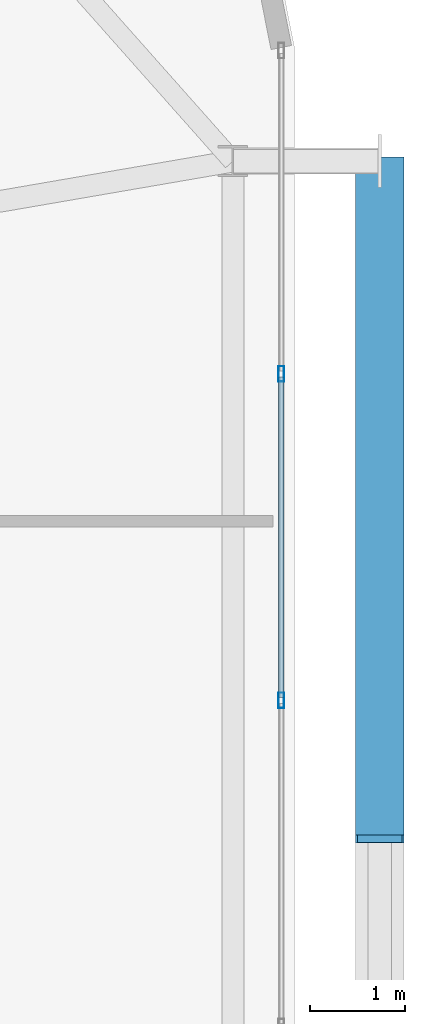
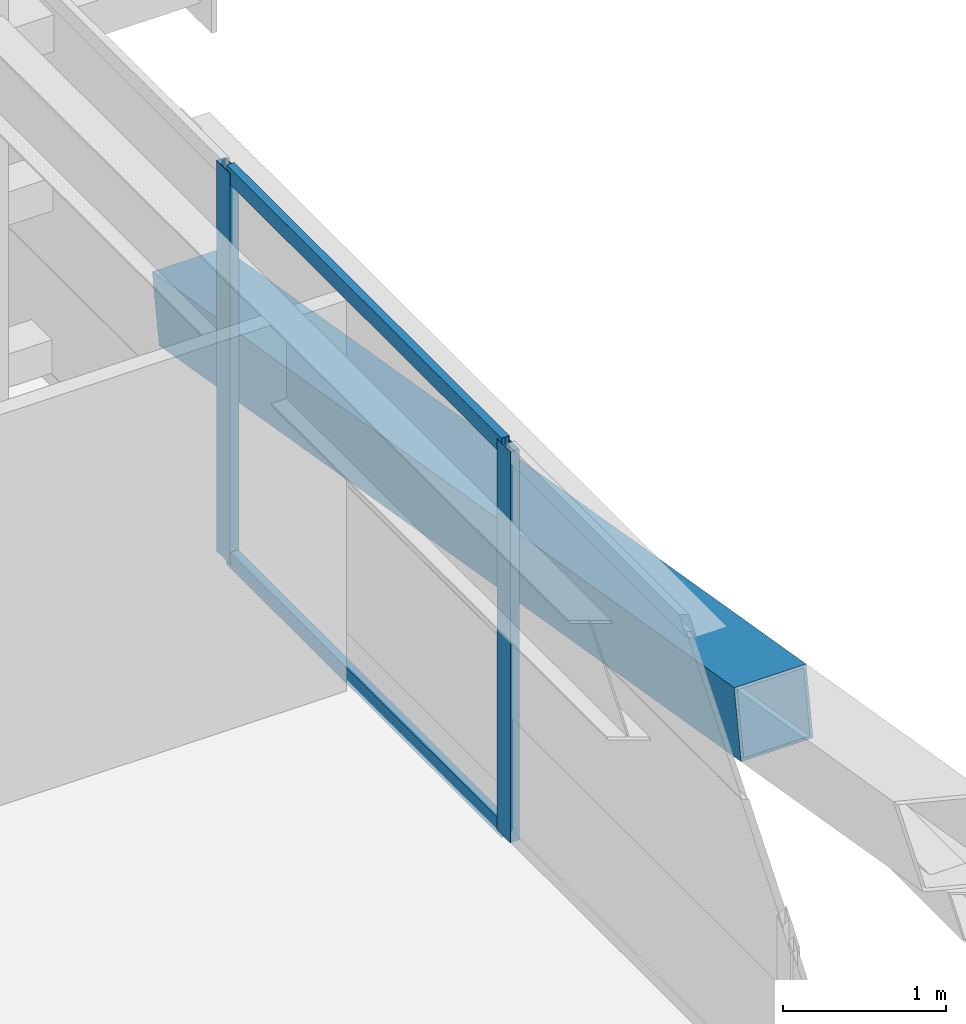
# One storey, part 32 of 58: 5 members, 1 element without a shape of its own.
"""IFC4 building model written with IfcOpenShell, lengths in metres."""

from ifc_helpers import new_model, si_unit, direction, frame, origin, origin_2d, place, context, subcontext, project, spatial, hollow_rectangle, extrude, source, transform, mapped, material, layer, layer_set, material_profile, profile_set, type_object, element, aggregate, save


model = new_model("IFC4")

# Units and contexts
model_context = context("Model", 3, precision=1e-05, world=origin(), true_north=direction((0.0, 1.0)))
body_context = subcontext(model_context, "Body", "Model", "MODEL_VIEW")
ifc_project = project(units=[si_unit("LENGTHUNIT", "METRE"), si_unit("AREAUNIT", "SQUARE_METRE"), si_unit("VOLUMEUNIT", "CUBIC_METRE"), si_unit("PLANEANGLEUNIT", "RADIAN"), si_unit("MASSUNIT", "GRAM", prefix="KILO")], contexts=[model_context])

# Site, building, storey
site_placement = place(None, origin())
site = spatial("IfcSite", under=ifc_project, at=site_placement, CompositionType="ELEMENT")
building_placement = place(site_placement, origin())
building = spatial("IfcBuilding", under=site, at=building_placement, Name="Taldren Reach Tower", CompositionType="ELEMENT")
storey_placement = place(building_placement, frame((0.0, 0.0, 35.699951171875)))
storey = spatial("IfcBuildingStorey", under=building, at=storey_placement, Name="L10", CompositionType="ELEMENT", Elevation=35.699951171875)

# Member
ifc_material_1 = material(Name="Steel Gr 450 (C450L0)", Category="steel")
ifc_material_profile_1 = material_profile(ifc_material_1, hollow_rectangle(XDim=0.510009765625, YDim=0.510009765625, WallThickness=0.02001953125, at=origin_2d()), Name="510x510x20.0SHS")
ifc_profile_set_1 = profile_set([ifc_material_profile_1], Name="Steel Gr 450 (C450L0)")
member_type_1 = type_object("IfcMemberType", Name="MB-EXO508", PredefinedType="BRACE", material=ifc_profile_set_1)
shared_shape_1 = source(origin(), body_context, "Body", "SweptSolid", [
    extrude(hollow_rectangle(XDim=0.510009765625, YDim=0.510009765625, WallThickness=0.02001953125, at=origin_2d()), origin(), (0.0, 0.0, 1.0), 7.252685546875),
])
member_1_placement = place(storey_placement, frame((65.89990234375, 34.300048828125, 0.219970703125), z_axis=(0.0, -0.985865800628, 0.167536930711), x_axis=(1.0, 0.0, 0.0)))
element("IfcMember", 1, at=member_1_placement, inside=storey, type_object=member_type_1, Name="Exoskeleton Diagrid Brace B1-E2 L10", PredefinedType="BRACE", context=body_context, shape_type="MappedRepresentation", body=[
    mapped(shared_shape_1, transform((0.0, 0.0, 0.0), scale=1.0)),
])

# Curtain wall, members
ifc_material_2 = material(Name="Aluminium and Low-E Glass Unitised System", Category="aluminium")
ifc_layer = layer(ifc_material_2, 0.159912109375)
ifc_layer_set = layer_set([ifc_layer], Name="Aluminium and Low-E Glass Unitised System")
curtain_wall_type = type_object("IfcCurtainWallType", Name="CW-SYS-2", PredefinedType="NOTDEFINED", material=ifc_layer_set)
curtain_wall_placement = place(storey_placement, origin())
curtain_wall = element("IfcCurtainWall", 2, at=curtain_wall_placement, inside=storey, type_object=curtain_wall_type, Name="Unitised curtain wall CW-L10-E", PredefinedType="NOTDEFINED")
ifc_material_3 = material(Name="Anodised Aluminium 6063-T6", Category="aluminium")
ifc_material_profile_2 = material_profile(ifc_material_3, hollow_rectangle(XDim=0.06494140625, YDim=0.1650390625, WallThickness=0.00390625, at=origin_2d()), Name="ALU-165x65x4RHS")
ifc_profile_set_2 = profile_set([ifc_material_profile_2], Name="Anodised Aluminium 6063-T6")
member_type_2 = type_object("IfcMemberType", Name="CW-MUL-165", PredefinedType="MULLION", material=ifc_profile_set_2)
shared_shape_2 = source(origin(), body_context, "Body", "SweptSolid", [
    extrude(hollow_rectangle(XDim=0.06494140625, YDim=0.1650390625, WallThickness=0.00390625, at=origin_2d()), origin(), (0.0, 0.0, 1.0), 2.929931640625),
])
member_2_placement = place(storey_placement, frame((64.860107421875, 28.611083984375, 0.0), z_axis=(0.0, 0.0, 1.0), x_axis=(-1.0, 0.0, 0.0)))
member_2 = element("IfcMember", 3, at=member_2_placement, type_object=member_type_2, Name="CW-2 mullion 8", PredefinedType="MULLION", context=body_context, shape_type="MappedRepresentation", body=[
    mapped(shared_shape_2, transform((0.0, 0.0, 0.0), scale=1.0)),
])
member_3_placement = place(storey_placement, frame((64.860107421875, 32.0556640625, 0.0), z_axis=(0.0, 0.0, 1.0), x_axis=(-1.0, 0.0, 0.0)))
member_3 = element("IfcMember", 4, at=member_3_placement, type_object=member_type_2, Name="CW-2 mullion 9", PredefinedType="MULLION", context=body_context, shape_type="MappedRepresentation", body=[
    mapped(shared_shape_2, transform((0.0, 0.0, 0.0), scale=1.0)),
])
ifc_material_profile_3 = material_profile(ifc_material_3, hollow_rectangle(XDim=0.054931640625, YDim=0.1201171875, WallThickness=0.0029296875, at=origin_2d()), Name="ALU-120x55x3RHS")
ifc_profile_set_3 = profile_set([ifc_material_profile_3], Name="Anodised Aluminium 6063-T6")
member_type_3 = type_object("IfcMemberType", Name="CW-TRN-135", PredefinedType="USERDEFINED", material=ifc_profile_set_3)
shared_shape_3 = source(origin(), body_context, "Body", "SweptSolid", [
    extrude(hollow_rectangle(XDim=0.054931640625, YDim=0.1201171875, WallThickness=0.0029296875, at=origin_2d()), origin(), (0.0, 0.0, 1.0), 3.37939453125),
])
member_4_placement = place(storey_placement, frame((64.860107421875, 28.6435546875, 0.027587890625), z_axis=(0.0, 1.0, 0.0), x_axis=(-1.0, 0.0, 0.0)))
member_4 = element("IfcMember", 5, at=member_4_placement, type_object=member_type_3, Name="CW-2 transom 8.1", ObjectType="TRANSOM", PredefinedType="USERDEFINED", context=body_context, shape_type="MappedRepresentation", body=[
    mapped(shared_shape_3, transform((0.0, 0.0, 0.0), scale=1.0)),
])
member_5_placement = place(storey_placement, frame((64.860107421875, 28.6435546875, 2.902587890625), z_axis=(0.0, 1.0, 0.0), x_axis=(-1.0, 0.0, 0.0)))
member_5 = element("IfcMember", 6, at=member_5_placement, type_object=member_type_3, Name="CW-2 transom 8.2", ObjectType="TRANSOM", PredefinedType="USERDEFINED", context=body_context, shape_type="MappedRepresentation", body=[
    mapped(shared_shape_3, transform((0.0, 0.0, 0.0), scale=1.0)),
])
aggregate(curtain_wall, [member_2, member_3, member_4, member_5])

save(model, "model.ifc")
